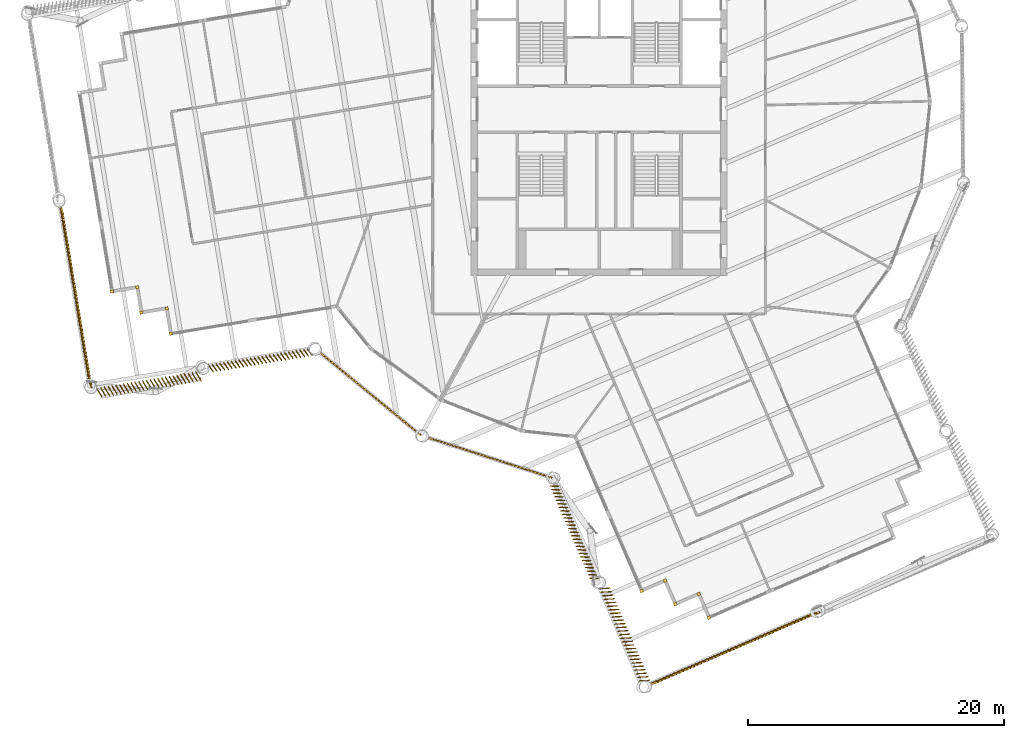
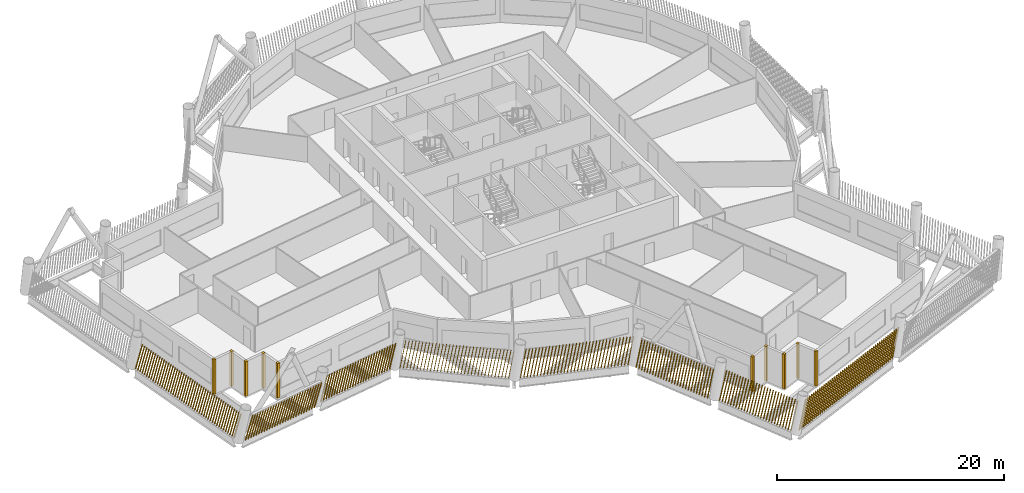
# One storey, part 19 of 23: 18 shading devices.
"""IFC4 building model written with IfcOpenShell, lengths in metres."""

from ifc_helpers import new_model, si_unit, direction, frame, frame_2d, origin, origin_2d, place, context, subcontext, project, spatial, rectangle, composite_profile, extrude, material, type_object, element, save


model = new_model("IFC4")

# Units and contexts
model_context = context("Model", 3, precision=1e-05, world=origin(), true_north=direction((0.0, 1.0)))
body_context = subcontext(model_context, "Body", "Model", "MODEL_VIEW")
ifc_project = project(units=[si_unit("LENGTHUNIT", "METRE"), si_unit("AREAUNIT", "SQUARE_METRE"), si_unit("VOLUMEUNIT", "CUBIC_METRE"), si_unit("PLANEANGLEUNIT", "RADIAN"), si_unit("MASSUNIT", "GRAM", prefix="KILO")], contexts=[model_context])

# Site, building, storey
site_placement = place(None, origin())
site = spatial("IfcSite", under=ifc_project, at=site_placement, CompositionType="ELEMENT")
building_placement = place(site_placement, origin())
building = spatial("IfcBuilding", under=site, at=building_placement, Name="Tarsis Ring Headquarters", CompositionType="ELEMENT")
storey_placement = place(building_placement, frame((0.0, 0.0, 323.60009765625)))
storey = spatial("IfcBuildingStorey", under=building, at=storey_placement, Name="L76", CompositionType="ELEMENT", Elevation=323.60009765625)

# Shading devices
ifc_material = material(Name="Terracotta baguette", Category="masonry")
shading_device_type_1 = type_object("IfcShadingDeviceType", Name="Terracotta baguette screen", PredefinedType="USERDEFINED", material=ifc_material)
shading_device_1_placement = place(storey_placement, frame((-13.447509765625, -25.6484375, 0.0), z_axis=(0.0, 0.0, 1.0), x_axis=(0.951305434104, -0.308282323548, 0.0)))
element("IfcShadingDevice", 1, at=shading_device_1_placement, inside=storey, type_object=shading_device_type_1, Name="Baguette screen L76-00", ObjectType="Terracotta baguette screen", PredefinedType="USERDEFINED", context=body_context, shape_type="SweptSolid", body=[
    extrude(composite_profile([rectangle(XDim=0.06005859375, YDim=0.1201171875, at=frame_2d((0.030029296875, 0.0))), rectangle(XDim=0.06005859375, YDim=0.1201171875, at=frame_2d((0.33349609375, 0.0))), rectangle(XDim=0.06005859375, YDim=0.1201171875, at=frame_2d((0.636962890625, 0.0))), rectangle(XDim=0.06005859375, YDim=0.1201171875, at=frame_2d((0.9404296875, 0.0))), rectangle(XDim=0.06005859375, YDim=0.1201171875, at=frame_2d((1.243896484375, 0.0))), rectangle(XDim=0.06005859375, YDim=0.1201171875, at=frame_2d((1.54736328125, 0.0))), rectangle(XDim=0.06005859375, YDim=0.1201171875, at=frame_2d((1.85107421875, 0.0))), rectangle(XDim=0.06005859375, YDim=0.1201171875, at=frame_2d((2.154541015625, 0.0))), rectangle(XDim=0.06005859375, YDim=0.1201171875, at=frame_2d((2.4580078125, 0.0))), rectangle(XDim=0.06005859375, YDim=0.1201171875, at=frame_2d((2.761474609375, 0.0))), rectangle(XDim=0.06005859375, YDim=0.1201171875, at=frame_2d((3.06494140625, 0.0))), rectangle(XDim=0.06005859375, YDim=0.1201171875, at=frame_2d((3.368408203125, 0.0))), rectangle(XDim=0.06005859375, YDim=0.1201171875, at=frame_2d((3.671875, 0.0))), rectangle(XDim=0.06005859375, YDim=0.1201171875, at=frame_2d((3.975341796875, 0.0))), rectangle(XDim=0.06005859375, YDim=0.1201171875, at=frame_2d((4.27880859375, 0.0))), rectangle(XDim=0.06005859375, YDim=0.1201171875, at=frame_2d((4.582275390625, 0.0))), rectangle(XDim=0.06005859375, YDim=0.1201171875, at=frame_2d((4.8857421875, 0.0))), rectangle(XDim=0.06005859375, YDim=0.1201171875, at=frame_2d((5.189453125, 0.0))), rectangle(XDim=0.06005859375, YDim=0.1201171875, at=frame_2d((5.492919921875, 0.0))), rectangle(XDim=0.06005859375, YDim=0.1201171875, at=frame_2d((5.79638671875, 0.0))), rectangle(XDim=0.06005859375, YDim=0.1201171875, at=frame_2d((6.099853515625, 0.0))), rectangle(XDim=0.06005859375, YDim=0.1201171875, at=frame_2d((6.4033203125, 0.0))), rectangle(XDim=0.06005859375, YDim=0.1201171875, at=frame_2d((6.706787109375, 0.0))), rectangle(XDim=0.06005859375, YDim=0.1201171875, at=frame_2d((7.01025390625, 0.0))), rectangle(XDim=0.06005859375, YDim=0.1201171875, at=frame_2d((7.313720703125, 0.0))), rectangle(XDim=0.06005859375, YDim=0.1201171875, at=frame_2d((7.6171875, 0.0))), rectangle(XDim=0.06005859375, YDim=0.1201171875, at=frame_2d((7.920654296875, 0.0))), rectangle(XDim=0.06005859375, YDim=0.1201171875, at=frame_2d((8.224365234375, 0.0))), rectangle(XDim=0.06005859375, YDim=0.1201171875, at=frame_2d((8.52783203125, 0.0))), rectangle(XDim=0.06005859375, YDim=0.1201171875, at=frame_2d((8.831298828125, 0.0))), rectangle(XDim=0.06005859375, YDim=0.1201171875, at=frame_2d((9.134765625, 0.0))), rectangle(XDim=0.06005859375, YDim=0.1201171875, at=frame_2d((9.438232421875, 0.0))), rectangle(XDim=0.06005859375, YDim=0.1201171875, at=frame_2d((9.74169921875, 0.0)))]), origin(), (0.171976250188, 0.00156280464, 0.985099856366), 3.0126953125),
])
shading_device_2_placement = place(storey_placement, frame((-3.822021484375, -29.422607421875, 0.0), z_axis=(0.0, 0.0, 1.0), x_axis=(0.396502718735, -0.91803633218, 0.0)))
element("IfcShadingDevice", 2, at=shading_device_2_placement, inside=storey, type_object=shading_device_type_1, Name="Baguette screen L76-01", ObjectType="Terracotta baguette screen", PredefinedType="USERDEFINED", context=body_context, shape_type="SweptSolid", body=[
    extrude(composite_profile([rectangle(XDim=0.06005859375, YDim=0.1201171875, at=frame_2d((0.030029296875, 0.0))), rectangle(XDim=0.06005859375, YDim=0.1201171875, at=frame_2d((0.33154296875, 0.0))), rectangle(XDim=0.06005859375, YDim=0.1201171875, at=frame_2d((0.63330078125, 0.0))), rectangle(XDim=0.06005859375, YDim=0.1201171875, at=frame_2d((0.934814453125, 0.0))), rectangle(XDim=0.06005859375, YDim=0.1201171875, at=frame_2d((1.236572265625, 0.0))), rectangle(XDim=0.06005859375, YDim=0.1201171875, at=frame_2d((1.5380859375, 0.0))), rectangle(XDim=0.06005859375, YDim=0.1201171875, at=frame_2d((1.83984375, 0.0))), rectangle(XDim=0.06005859375, YDim=0.1201171875, at=frame_2d((2.141357421875, 0.0))), rectangle(XDim=0.06005859375, YDim=0.1201171875, at=frame_2d((2.443115234375, 0.0))), rectangle(XDim=0.06005859375, YDim=0.1201171875, at=frame_2d((2.74462890625, 0.0))), rectangle(XDim=0.06005859375, YDim=0.1201171875, at=frame_2d((3.04638671875, 0.0))), rectangle(XDim=0.06005859375, YDim=0.1201171875, at=frame_2d((3.347900390625, 0.0))), rectangle(XDim=0.06005859375, YDim=0.1201171875, at=frame_2d((3.649658203125, 0.0))), rectangle(XDim=0.06005859375, YDim=0.1201171875, at=frame_2d((3.951171875, 0.0))), rectangle(XDim=0.06005859375, YDim=0.1201171875, at=frame_2d((4.252685546875, 0.0))), rectangle(XDim=0.06005859375, YDim=0.1201171875, at=frame_2d((4.554443359375, 0.0))), rectangle(XDim=0.06005859375, YDim=0.1201171875, at=frame_2d((4.85595703125, 0.0))), rectangle(XDim=0.06005859375, YDim=0.1201171875, at=frame_2d((5.15771484375, 0.0))), rectangle(XDim=0.06005859375, YDim=0.1201171875, at=frame_2d((5.459228515625, 0.0))), rectangle(XDim=0.06005859375, YDim=0.1201171875, at=frame_2d((5.760986328125, 0.0))), rectangle(XDim=0.06005859375, YDim=0.1201171875, at=frame_2d((6.0625, 0.0))), rectangle(XDim=0.06005859375, YDim=0.1201171875, at=frame_2d((6.3642578125, 0.0))), rectangle(XDim=0.06005859375, YDim=0.1201171875, at=frame_2d((6.665771484375, 0.0))), rectangle(XDim=0.06005859375, YDim=0.1201171875, at=frame_2d((6.967529296875, 0.0))), rectangle(XDim=0.06005859375, YDim=0.1201171875, at=frame_2d((7.26904296875, 0.0))), rectangle(XDim=0.06005859375, YDim=0.1201171875, at=frame_2d((7.57080078125, 0.0))), rectangle(XDim=0.06005859375, YDim=0.1201171875, at=frame_2d((7.872314453125, 0.0)))]), origin(), (0.089356703614, 0.177331239454, 0.980086226326), 3.028076171875),
])
shading_device_3_placement = place(storey_placement, frame((0.052001953125, -37.446533203125, 0.0), z_axis=(0.0, 0.0, 1.0), x_axis=(0.39651496895, -0.918033799858, 0.0)))
element("IfcShadingDevice", 3, at=shading_device_3_placement, inside=storey, type_object=shading_device_type_1, Name="Baguette screen L76-02", ObjectType="Terracotta baguette screen", PredefinedType="USERDEFINED", context=body_context, shape_type="SweptSolid", body=[
    extrude(composite_profile([rectangle(XDim=0.06005859375, YDim=0.1201171875, at=frame_2d((0.030029296875, 0.0))), rectangle(XDim=0.06005859375, YDim=0.1201171875, at=frame_2d((0.33154296875, 0.0))), rectangle(XDim=0.06005859375, YDim=0.1201171875, at=frame_2d((0.63330078125, 0.0))), rectangle(XDim=0.06005859375, YDim=0.1201171875, at=frame_2d((0.934814453125, 0.0))), rectangle(XDim=0.06005859375, YDim=0.1201171875, at=frame_2d((1.236572265625, 0.0))), rectangle(XDim=0.06005859375, YDim=0.1201171875, at=frame_2d((1.5380859375, 0.0))), rectangle(XDim=0.06005859375, YDim=0.1201171875, at=frame_2d((1.83984375, 0.0))), rectangle(XDim=0.06005859375, YDim=0.1201171875, at=frame_2d((2.141357421875, 0.0))), rectangle(XDim=0.06005859375, YDim=0.1201171875, at=frame_2d((2.443115234375, 0.0))), rectangle(XDim=0.06005859375, YDim=0.1201171875, at=frame_2d((2.74462890625, 0.0))), rectangle(XDim=0.06005859375, YDim=0.1201171875, at=frame_2d((3.04638671875, 0.0))), rectangle(XDim=0.06005859375, YDim=0.1201171875, at=frame_2d((3.347900390625, 0.0))), rectangle(XDim=0.06005859375, YDim=0.1201171875, at=frame_2d((3.649658203125, 0.0))), rectangle(XDim=0.06005859375, YDim=0.1201171875, at=frame_2d((3.951171875, 0.0))), rectangle(XDim=0.06005859375, YDim=0.1201171875, at=frame_2d((4.252685546875, 0.0))), rectangle(XDim=0.06005859375, YDim=0.1201171875, at=frame_2d((4.554443359375, 0.0))), rectangle(XDim=0.06005859375, YDim=0.1201171875, at=frame_2d((4.85595703125, 0.0))), rectangle(XDim=0.06005859375, YDim=0.1201171875, at=frame_2d((5.15771484375, 0.0))), rectangle(XDim=0.06005859375, YDim=0.1201171875, at=frame_2d((5.459228515625, 0.0))), rectangle(XDim=0.06005859375, YDim=0.1201171875, at=frame_2d((5.760986328125, 0.0))), rectangle(XDim=0.06005859375, YDim=0.1201171875, at=frame_2d((6.0625, 0.0))), rectangle(XDim=0.06005859375, YDim=0.1201171875, at=frame_2d((6.3642578125, 0.0))), rectangle(XDim=0.06005859375, YDim=0.1201171875, at=frame_2d((6.665771484375, 0.0))), rectangle(XDim=0.06005859375, YDim=0.1201171875, at=frame_2d((6.967529296875, 0.0))), rectangle(XDim=0.06005859375, YDim=0.1201171875, at=frame_2d((7.26904296875, 0.0))), rectangle(XDim=0.06005859375, YDim=0.1201171875, at=frame_2d((7.57080078125, 0.0))), rectangle(XDim=0.06005859375, YDim=0.1201171875, at=frame_2d((7.872314453125, 0.0)))]), origin(), (0.085720197829, 0.228254727037, 0.969820512914), 3.06005859375),
])
shading_device_4_placement = place(storey_placement, frame((3.842529296875, -44.9619140625, 0.0), z_axis=(0.0, 0.0, 1.0), x_axis=(0.918036267138, 0.396514816453, 0.0)))
element("IfcShadingDevice", 4, at=shading_device_4_placement, inside=storey, type_object=shading_device_type_1, Name="Baguette screen L76-03", ObjectType="Terracotta baguette screen", PredefinedType="USERDEFINED", context=body_context, shape_type="SweptSolid", body=[
    extrude(composite_profile([rectangle(XDim=0.06005859375, YDim=0.1201171875, at=frame_2d((0.030029296875, 0.0))), rectangle(XDim=0.06005859375, YDim=0.1201171875, at=frame_2d((0.33544921875, 0.0))), rectangle(XDim=0.06005859375, YDim=0.1201171875, at=frame_2d((0.640625, 0.0))), rectangle(XDim=0.06005859375, YDim=0.1201171875, at=frame_2d((0.946044921875, 0.0))), rectangle(XDim=0.06005859375, YDim=0.1201171875, at=frame_2d((1.25146484375, 0.0))), rectangle(XDim=0.06005859375, YDim=0.1201171875, at=frame_2d((1.556640625, 0.0))), rectangle(XDim=0.06005859375, YDim=0.1201171875, at=frame_2d((1.862060546875, 0.0))), rectangle(XDim=0.06005859375, YDim=0.1201171875, at=frame_2d((2.16748046875, 0.0))), rectangle(XDim=0.06005859375, YDim=0.1201171875, at=frame_2d((2.47265625, 0.0))), rectangle(XDim=0.06005859375, YDim=0.1201171875, at=frame_2d((2.778076171875, 0.0))), rectangle(XDim=0.06005859375, YDim=0.1201171875, at=frame_2d((3.08349609375, 0.0))), rectangle(XDim=0.06005859375, YDim=0.1201171875, at=frame_2d((3.388671875, 0.0))), rectangle(XDim=0.06005859375, YDim=0.1201171875, at=frame_2d((3.694091796875, 0.0))), rectangle(XDim=0.06005859375, YDim=0.1201171875, at=frame_2d((3.99951171875, 0.0))), rectangle(XDim=0.06005859375, YDim=0.1201171875, at=frame_2d((4.3046875, 0.0))), rectangle(XDim=0.06005859375, YDim=0.1201171875, at=frame_2d((4.610107421875, 0.0))), rectangle(XDim=0.06005859375, YDim=0.1201171875, at=frame_2d((4.91552734375, 0.0))), rectangle(XDim=0.06005859375, YDim=0.1201171875, at=frame_2d((5.220703125, 0.0))), rectangle(XDim=0.06005859375, YDim=0.1201171875, at=frame_2d((5.526123046875, 0.0))), rectangle(XDim=0.06005859375, YDim=0.1201171875, at=frame_2d((5.83154296875, 0.0))), rectangle(XDim=0.06005859375, YDim=0.1201171875, at=frame_2d((6.13671875, 0.0))), rectangle(XDim=0.06005859375, YDim=0.1201171875, at=frame_2d((6.442138671875, 0.0))), rectangle(XDim=0.06005859375, YDim=0.1201171875, at=frame_2d((6.74755859375, 0.0))), rectangle(XDim=0.06005859375, YDim=0.1201171875, at=frame_2d((7.052734375, 0.0))), rectangle(XDim=0.06005859375, YDim=0.1201171875, at=frame_2d((7.358154296875, 0.0))), rectangle(XDim=0.06005859375, YDim=0.1201171875, at=frame_2d((7.66357421875, 0.0))), rectangle(XDim=0.06005859375, YDim=0.1201171875, at=frame_2d((7.96875, 0.0))), rectangle(XDim=0.06005859375, YDim=0.1201171875, at=frame_2d((8.274169921875, 0.0))), rectangle(XDim=0.06005859375, YDim=0.1201171875, at=frame_2d((8.57958984375, 0.0))), rectangle(XDim=0.06005859375, YDim=0.1201171875, at=frame_2d((8.884765625, 0.0))), rectangle(XDim=0.06005859375, YDim=0.1201171875, at=frame_2d((9.190185546875, 0.0))), rectangle(XDim=0.06005859375, YDim=0.1201171875, at=frame_2d((9.49560546875, 0.0))), rectangle(XDim=0.06005859375, YDim=0.1201171875, at=frame_2d((9.80078125, 0.0))), rectangle(XDim=0.06005859375, YDim=0.1201171875, at=frame_2d((10.106201171875, 0.0))), rectangle(XDim=0.06005859375, YDim=0.1201171875, at=frame_2d((10.41162109375, 0.0))), rectangle(XDim=0.06005859375, YDim=0.1201171875, at=frame_2d((10.716796875, 0.0))), rectangle(XDim=0.06005859375, YDim=0.1201171875, at=frame_2d((11.022216796875, 0.0))), rectangle(XDim=0.06005859375, YDim=0.1201171875, at=frame_2d((11.32763671875, 0.0))), rectangle(XDim=0.06005859375, YDim=0.1201171875, at=frame_2d((11.6328125, 0.0))), rectangle(XDim=0.06005859375, YDim=0.1201171875, at=frame_2d((11.938232421875, 0.0))), rectangle(XDim=0.06005859375, YDim=0.1201171875, at=frame_2d((12.24365234375, 0.0))), rectangle(XDim=0.06005859375, YDim=0.1201171875, at=frame_2d((12.548828125, 0.0))), rectangle(XDim=0.06005859375, YDim=0.1201171875, at=frame_2d((12.854248046875, 0.0))), rectangle(XDim=0.06005859375, YDim=0.1201171875, at=frame_2d((13.15966796875, 0.0))), rectangle(XDim=0.06005859375, YDim=0.1201171875, at=frame_2d((13.46484375, 0.0))), rectangle(XDim=0.06005859375, YDim=0.1201171875, at=frame_2d((13.770263671875, 0.0)))]), origin(), (0.253382101253, -0.041445446151, 0.9664780317), 3.07080078125),
])
shading_device_5_placement = place(storey_placement, frame((-42.14892578125, -7.4541015625, 0.0), z_axis=(0.0, 0.0, 1.0), x_axis=(0.16263312458, -0.986678696529, 0.0)))
element("IfcShadingDevice", 5, at=shading_device_5_placement, inside=storey, type_object=shading_device_type_1, Name="Baguette screen L76-18", ObjectType="Terracotta baguette screen", PredefinedType="USERDEFINED", context=body_context, shape_type="SweptSolid", body=[
    extrude(composite_profile([rectangle(XDim=0.06005859375, YDim=0.1201171875, at=frame_2d((0.030029296875, 0.0))), rectangle(XDim=0.06005859375, YDim=0.1201171875, at=frame_2d((0.33544921875, 0.0))), rectangle(XDim=0.06005859375, YDim=0.1201171875, at=frame_2d((0.640625, 0.0))), rectangle(XDim=0.06005859375, YDim=0.1201171875, at=frame_2d((0.946044921875, 0.0))), rectangle(XDim=0.06005859375, YDim=0.1201171875, at=frame_2d((1.25146484375, 0.0))), rectangle(XDim=0.06005859375, YDim=0.1201171875, at=frame_2d((1.556640625, 0.0))), rectangle(XDim=0.06005859375, YDim=0.1201171875, at=frame_2d((1.862060546875, 0.0))), rectangle(XDim=0.06005859375, YDim=0.1201171875, at=frame_2d((2.16748046875, 0.0))), rectangle(XDim=0.06005859375, YDim=0.1201171875, at=frame_2d((2.47265625, 0.0))), rectangle(XDim=0.06005859375, YDim=0.1201171875, at=frame_2d((2.778076171875, 0.0))), rectangle(XDim=0.06005859375, YDim=0.1201171875, at=frame_2d((3.08349609375, 0.0))), rectangle(XDim=0.06005859375, YDim=0.1201171875, at=frame_2d((3.388671875, 0.0))), rectangle(XDim=0.06005859375, YDim=0.1201171875, at=frame_2d((3.694091796875, 0.0))), rectangle(XDim=0.06005859375, YDim=0.1201171875, at=frame_2d((3.99951171875, 0.0))), rectangle(XDim=0.06005859375, YDim=0.1201171875, at=frame_2d((4.3046875, 0.0))), rectangle(XDim=0.06005859375, YDim=0.1201171875, at=frame_2d((4.610107421875, 0.0))), rectangle(XDim=0.06005859375, YDim=0.1201171875, at=frame_2d((4.91552734375, 0.0))), rectangle(XDim=0.06005859375, YDim=0.1201171875, at=frame_2d((5.220703125, 0.0))), rectangle(XDim=0.06005859375, YDim=0.1201171875, at=frame_2d((5.526123046875, 0.0))), rectangle(XDim=0.06005859375, YDim=0.1201171875, at=frame_2d((5.83154296875, 0.0))), rectangle(XDim=0.06005859375, YDim=0.1201171875, at=frame_2d((6.13671875, 0.0))), rectangle(XDim=0.06005859375, YDim=0.1201171875, at=frame_2d((6.442138671875, 0.0))), rectangle(XDim=0.06005859375, YDim=0.1201171875, at=frame_2d((6.74755859375, 0.0))), rectangle(XDim=0.06005859375, YDim=0.1201171875, at=frame_2d((7.052734375, 0.0))), rectangle(XDim=0.06005859375, YDim=0.1201171875, at=frame_2d((7.358154296875, 0.0))), rectangle(XDim=0.06005859375, YDim=0.1201171875, at=frame_2d((7.66357421875, 0.0))), rectangle(XDim=0.06005859375, YDim=0.1201171875, at=frame_2d((7.96875, 0.0))), rectangle(XDim=0.06005859375, YDim=0.1201171875, at=frame_2d((8.274169921875, 0.0))), rectangle(XDim=0.06005859375, YDim=0.1201171875, at=frame_2d((8.57958984375, 0.0))), rectangle(XDim=0.06005859375, YDim=0.1201171875, at=frame_2d((8.884765625, 0.0))), rectangle(XDim=0.06005859375, YDim=0.1201171875, at=frame_2d((9.190185546875, 0.0))), rectangle(XDim=0.06005859375, YDim=0.1201171875, at=frame_2d((9.49560546875, 0.0))), rectangle(XDim=0.06005859375, YDim=0.1201171875, at=frame_2d((9.80078125, 0.0))), rectangle(XDim=0.06005859375, YDim=0.1201171875, at=frame_2d((10.106201171875, 0.0))), rectangle(XDim=0.06005859375, YDim=0.1201171875, at=frame_2d((10.41162109375, 0.0))), rectangle(XDim=0.06005859375, YDim=0.1201171875, at=frame_2d((10.716796875, 0.0))), rectangle(XDim=0.06005859375, YDim=0.1201171875, at=frame_2d((11.022216796875, 0.0))), rectangle(XDim=0.06005859375, YDim=0.1201171875, at=frame_2d((11.32763671875, 0.0))), rectangle(XDim=0.06005859375, YDim=0.1201171875, at=frame_2d((11.6328125, 0.0))), rectangle(XDim=0.06005859375, YDim=0.1201171875, at=frame_2d((11.938232421875, 0.0))), rectangle(XDim=0.06005859375, YDim=0.1201171875, at=frame_2d((12.24365234375, 0.0))), rectangle(XDim=0.06005859375, YDim=0.1201171875, at=frame_2d((12.548828125, 0.0))), rectangle(XDim=0.06005859375, YDim=0.1201171875, at=frame_2d((12.854248046875, 0.0))), rectangle(XDim=0.06005859375, YDim=0.1201171875, at=frame_2d((13.15966796875, 0.0))), rectangle(XDim=0.06005859375, YDim=0.1201171875, at=frame_2d((13.46484375, 0.0))), rectangle(XDim=0.06005859375, YDim=0.1201171875, at=frame_2d((13.770263671875, 0.0)))]), origin(), (0.252584286485, 0.04603656907, 0.966479080234), 3.07080078125),
])
shading_device_6_placement = place(storey_placement, frame((-39.268798828125, -21.8525390625, 0.0), z_axis=(0.0, 0.0, 1.0), x_axis=(0.986684379634, 0.162629757785, 0.0)))
element("IfcShadingDevice", 6, at=shading_device_6_placement, inside=storey, type_object=shading_device_type_1, Name="Baguette screen L76-19", ObjectType="Terracotta baguette screen", PredefinedType="USERDEFINED", context=body_context, shape_type="SweptSolid", body=[
    extrude(composite_profile([rectangle(XDim=0.06005859375, YDim=0.1201171875, at=frame_2d((0.030029296875, 0.0))), rectangle(XDim=0.06005859375, YDim=0.1201171875, at=frame_2d((0.33154296875, 0.0))), rectangle(XDim=0.06005859375, YDim=0.1201171875, at=frame_2d((0.63330078125, 0.0))), rectangle(XDim=0.06005859375, YDim=0.1201171875, at=frame_2d((0.934814453125, 0.0))), rectangle(XDim=0.06005859375, YDim=0.1201171875, at=frame_2d((1.236572265625, 0.0))), rectangle(XDim=0.06005859375, YDim=0.1201171875, at=frame_2d((1.5380859375, 0.0))), rectangle(XDim=0.06005859375, YDim=0.1201171875, at=frame_2d((1.83984375, 0.0))), rectangle(XDim=0.06005859375, YDim=0.1201171875, at=frame_2d((2.141357421875, 0.0))), rectangle(XDim=0.06005859375, YDim=0.1201171875, at=frame_2d((2.443115234375, 0.0))), rectangle(XDim=0.06005859375, YDim=0.1201171875, at=frame_2d((2.74462890625, 0.0))), rectangle(XDim=0.06005859375, YDim=0.1201171875, at=frame_2d((3.04638671875, 0.0))), rectangle(XDim=0.06005859375, YDim=0.1201171875, at=frame_2d((3.347900390625, 0.0))), rectangle(XDim=0.06005859375, YDim=0.1201171875, at=frame_2d((3.649658203125, 0.0))), rectangle(XDim=0.06005859375, YDim=0.1201171875, at=frame_2d((3.951171875, 0.0))), rectangle(XDim=0.06005859375, YDim=0.1201171875, at=frame_2d((4.252685546875, 0.0))), rectangle(XDim=0.06005859375, YDim=0.1201171875, at=frame_2d((4.554443359375, 0.0))), rectangle(XDim=0.06005859375, YDim=0.1201171875, at=frame_2d((4.85595703125, 0.0))), rectangle(XDim=0.06005859375, YDim=0.1201171875, at=frame_2d((5.15771484375, 0.0))), rectangle(XDim=0.06005859375, YDim=0.1201171875, at=frame_2d((5.459228515625, 0.0))), rectangle(XDim=0.06005859375, YDim=0.1201171875, at=frame_2d((5.760986328125, 0.0))), rectangle(XDim=0.06005859375, YDim=0.1201171875, at=frame_2d((6.0625, 0.0))), rectangle(XDim=0.06005859375, YDim=0.1201171875, at=frame_2d((6.3642578125, 0.0))), rectangle(XDim=0.06005859375, YDim=0.1201171875, at=frame_2d((6.665771484375, 0.0))), rectangle(XDim=0.06005859375, YDim=0.1201171875, at=frame_2d((6.967529296875, 0.0))), rectangle(XDim=0.06005859375, YDim=0.1201171875, at=frame_2d((7.26904296875, 0.0))), rectangle(XDim=0.06005859375, YDim=0.1201171875, at=frame_2d((7.57080078125, 0.0))), rectangle(XDim=0.06005859375, YDim=0.1201171875, at=frame_2d((7.872314453125, 0.0)))]), origin(), (0.092054668918, -0.226594663961, 0.969629205519), 3.060791015625),
])
shading_device_7_placement = place(storey_placement, frame((-30.546142578125, -20.03466796875, 0.0), z_axis=(0.0, 0.0, 1.0), x_axis=(0.986684379634, 0.162629757785, 0.0)))
element("IfcShadingDevice", 7, at=shading_device_7_placement, inside=storey, type_object=shading_device_type_1, Name="Baguette screen L76-20", ObjectType="Terracotta baguette screen", PredefinedType="USERDEFINED", context=body_context, shape_type="SweptSolid", body=[
    extrude(composite_profile([rectangle(XDim=0.06005859375, YDim=0.1201171875, at=frame_2d((0.030029296875, 0.0))), rectangle(XDim=0.06005859375, YDim=0.1201171875, at=frame_2d((0.33154296875, 0.0))), rectangle(XDim=0.06005859375, YDim=0.1201171875, at=frame_2d((0.63330078125, 0.0))), rectangle(XDim=0.06005859375, YDim=0.1201171875, at=frame_2d((0.934814453125, 0.0))), rectangle(XDim=0.06005859375, YDim=0.1201171875, at=frame_2d((1.236572265625, 0.0))), rectangle(XDim=0.06005859375, YDim=0.1201171875, at=frame_2d((1.5380859375, 0.0))), rectangle(XDim=0.06005859375, YDim=0.1201171875, at=frame_2d((1.83984375, 0.0))), rectangle(XDim=0.06005859375, YDim=0.1201171875, at=frame_2d((2.141357421875, 0.0))), rectangle(XDim=0.06005859375, YDim=0.1201171875, at=frame_2d((2.443115234375, 0.0))), rectangle(XDim=0.06005859375, YDim=0.1201171875, at=frame_2d((2.74462890625, 0.0))), rectangle(XDim=0.06005859375, YDim=0.1201171875, at=frame_2d((3.04638671875, 0.0))), rectangle(XDim=0.06005859375, YDim=0.1201171875, at=frame_2d((3.347900390625, 0.0))), rectangle(XDim=0.06005859375, YDim=0.1201171875, at=frame_2d((3.649658203125, 0.0))), rectangle(XDim=0.06005859375, YDim=0.1201171875, at=frame_2d((3.951171875, 0.0))), rectangle(XDim=0.06005859375, YDim=0.1201171875, at=frame_2d((4.252685546875, 0.0))), rectangle(XDim=0.06005859375, YDim=0.1201171875, at=frame_2d((4.554443359375, 0.0))), rectangle(XDim=0.06005859375, YDim=0.1201171875, at=frame_2d((4.85595703125, 0.0))), rectangle(XDim=0.06005859375, YDim=0.1201171875, at=frame_2d((5.15771484375, 0.0))), rectangle(XDim=0.06005859375, YDim=0.1201171875, at=frame_2d((5.459228515625, 0.0))), rectangle(XDim=0.06005859375, YDim=0.1201171875, at=frame_2d((5.760986328125, 0.0))), rectangle(XDim=0.06005859375, YDim=0.1201171875, at=frame_2d((6.0625, 0.0))), rectangle(XDim=0.06005859375, YDim=0.1201171875, at=frame_2d((6.3642578125, 0.0))), rectangle(XDim=0.06005859375, YDim=0.1201171875, at=frame_2d((6.665771484375, 0.0))), rectangle(XDim=0.06005859375, YDim=0.1201171875, at=frame_2d((6.967529296875, 0.0))), rectangle(XDim=0.06005859375, YDim=0.1201171875, at=frame_2d((7.26904296875, 0.0))), rectangle(XDim=0.06005859375, YDim=0.1201171875, at=frame_2d((7.57080078125, 0.0))), rectangle(XDim=0.06005859375, YDim=0.1201171875, at=frame_2d((7.872314453125, 0.0)))]), origin(), (0.09033312584, -0.175733898437, 0.980284409402), 3.02734375),
])
shading_device_8_placement = place(storey_placement, frame((-21.868896484375, -18.985107421875, 0.0), z_axis=(0.0, 0.0, 1.0), x_axis=(0.773566520924, -0.633703935041, 0.0)))
element("IfcShadingDevice", 8, at=shading_device_8_placement, inside=storey, type_object=shading_device_type_1, Name="Baguette screen L76-21", ObjectType="Terracotta baguette screen", PredefinedType="USERDEFINED", context=body_context, shape_type="SweptSolid", body=[
    extrude(composite_profile([rectangle(XDim=0.06005859375, YDim=0.1201171875, at=frame_2d((0.030029296875, 0.0))), rectangle(XDim=0.06005859375, YDim=0.1201171875, at=frame_2d((0.33349609375, 0.0))), rectangle(XDim=0.06005859375, YDim=0.1201171875, at=frame_2d((0.636962890625, 0.0))), rectangle(XDim=0.06005859375, YDim=0.1201171875, at=frame_2d((0.9404296875, 0.0))), rectangle(XDim=0.06005859375, YDim=0.1201171875, at=frame_2d((1.243896484375, 0.0))), rectangle(XDim=0.06005859375, YDim=0.1201171875, at=frame_2d((1.54736328125, 0.0))), rectangle(XDim=0.06005859375, YDim=0.1201171875, at=frame_2d((1.85107421875, 0.0))), rectangle(XDim=0.06005859375, YDim=0.1201171875, at=frame_2d((2.154541015625, 0.0))), rectangle(XDim=0.06005859375, YDim=0.1201171875, at=frame_2d((2.4580078125, 0.0))), rectangle(XDim=0.06005859375, YDim=0.1201171875, at=frame_2d((2.761474609375, 0.0))), rectangle(XDim=0.06005859375, YDim=0.1201171875, at=frame_2d((3.06494140625, 0.0))), rectangle(XDim=0.06005859375, YDim=0.1201171875, at=frame_2d((3.368408203125, 0.0))), rectangle(XDim=0.06005859375, YDim=0.1201171875, at=frame_2d((3.671875, 0.0))), rectangle(XDim=0.06005859375, YDim=0.1201171875, at=frame_2d((3.975341796875, 0.0))), rectangle(XDim=0.06005859375, YDim=0.1201171875, at=frame_2d((4.27880859375, 0.0))), rectangle(XDim=0.06005859375, YDim=0.1201171875, at=frame_2d((4.582275390625, 0.0))), rectangle(XDim=0.06005859375, YDim=0.1201171875, at=frame_2d((4.8857421875, 0.0))), rectangle(XDim=0.06005859375, YDim=0.1201171875, at=frame_2d((5.189453125, 0.0))), rectangle(XDim=0.06005859375, YDim=0.1201171875, at=frame_2d((5.492919921875, 0.0))), rectangle(XDim=0.06005859375, YDim=0.1201171875, at=frame_2d((5.79638671875, 0.0))), rectangle(XDim=0.06005859375, YDim=0.1201171875, at=frame_2d((6.099853515625, 0.0))), rectangle(XDim=0.06005859375, YDim=0.1201171875, at=frame_2d((6.4033203125, 0.0))), rectangle(XDim=0.06005859375, YDim=0.1201171875, at=frame_2d((6.706787109375, 0.0))), rectangle(XDim=0.06005859375, YDim=0.1201171875, at=frame_2d((7.01025390625, 0.0))), rectangle(XDim=0.06005859375, YDim=0.1201171875, at=frame_2d((7.313720703125, 0.0))), rectangle(XDim=0.06005859375, YDim=0.1201171875, at=frame_2d((7.6171875, 0.0))), rectangle(XDim=0.06005859375, YDim=0.1201171875, at=frame_2d((7.920654296875, 0.0))), rectangle(XDim=0.06005859375, YDim=0.1201171875, at=frame_2d((8.224365234375, 0.0))), rectangle(XDim=0.06005859375, YDim=0.1201171875, at=frame_2d((8.52783203125, 0.0))), rectangle(XDim=0.06005859375, YDim=0.1201171875, at=frame_2d((8.831298828125, 0.0))), rectangle(XDim=0.06005859375, YDim=0.1201171875, at=frame_2d((9.134765625, 0.0))), rectangle(XDim=0.06005859375, YDim=0.1201171875, at=frame_2d((9.438232421875, 0.0))), rectangle(XDim=0.06005859375, YDim=0.1201171875, at=frame_2d((9.74169921875, 0.0)))]), origin(), (0.171973396587, 0.001558489738, 0.985100361372), 3.0126953125),
])
shading_device_type_2 = type_object("IfcShadingDeviceType", Name="Terracotta corner baguette 250x250", PredefinedType="USERDEFINED", material=ifc_material)
for number, where, z_axis, x_axis, name in (
    (9, (-33.466064453125, -17.551513671875, 0.0), (0.0, 0.0, 1.0), (0.16263707909, -0.986685958401, 0.0), "Corner baguette L76-01"),
    (10, (3.322998046875, -37.642822265625, 0.0), (0.0, 0.0, 1.0), (0.396507112352, -0.918031649702, 0.0), "Corner baguette L76-07"),
    (11, (5.1591796875, -36.849853515625, 0.0), (0.0, 0.0, 1.0), (0.918031670463, 0.396507064284, 0.0), "Corner baguette L76-08"),
    (12, (5.9521484375, -38.68603515625, 0.0), (0.0, 0.0, 1.0), (0.396507064284, -0.918031670463, 0.0), "Corner baguette L76-09"),
    (13, (7.7880859375, -37.892822265625, 0.0), (0.0, 0.0, 1.0), (0.918031746587, 0.396506888034, 0.0), "Corner baguette L76-10"),
    (14, (8.581298828125, -39.72900390625, 0.0), (0.0, 0.0, 1.0), (0.396507064284, -0.918031670463, 0.0), "Corner baguette L76-11"),
    (15, (-38.063232421875, -14.25537109375, 0.0), (0.0, 0.0, 1.0), (0.162637182416, -0.986685941369, 0.0), "Corner baguette L76-37"),
    (16, (-36.08984375, -13.929931640625, 0.0), (0.0, 0.0, 1.0), (0.986685958401, 0.16263707909, 0.0), "Corner baguette L76-38"),
    (17, (-35.7646484375, -15.9033203125, 0.0), (0.0, 0.0, 1.0), (0.162636992986, -0.986685972593, 0.0), "Corner baguette L76-39"),
    (18, (-33.791259765625, -15.578125, 0.0), (0.0, 0.0, 1.0), (0.986685986786, 0.162636906881, 0.0), "Corner baguette L76-40"),
):
    element("IfcShadingDevice", number, at=place(storey_placement, frame(where, z_axis=z_axis, x_axis=x_axis)), inside=storey, type_object=shading_device_type_2, Name=name, ObjectType="Terracotta corner baguette", PredefinedType="USERDEFINED", context=body_context, shape_type="SweptSolid", body=[
        extrude(rectangle(XDim=0.25, YDim=0.25, at=origin_2d()), origin(), (0.0, 0.0, 1.0), 3.739990234375),
    ])

save(model, "model.ifc")
